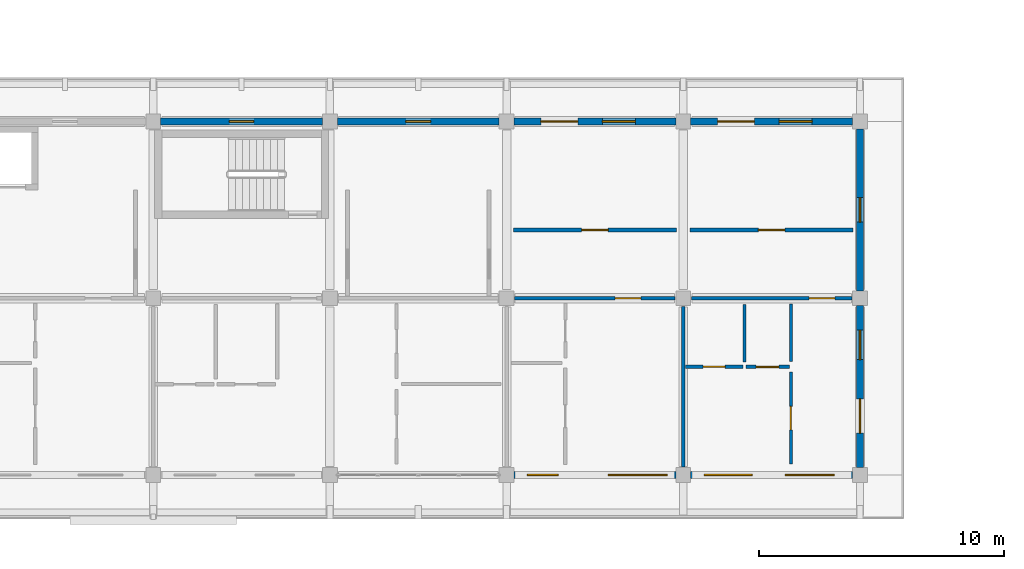
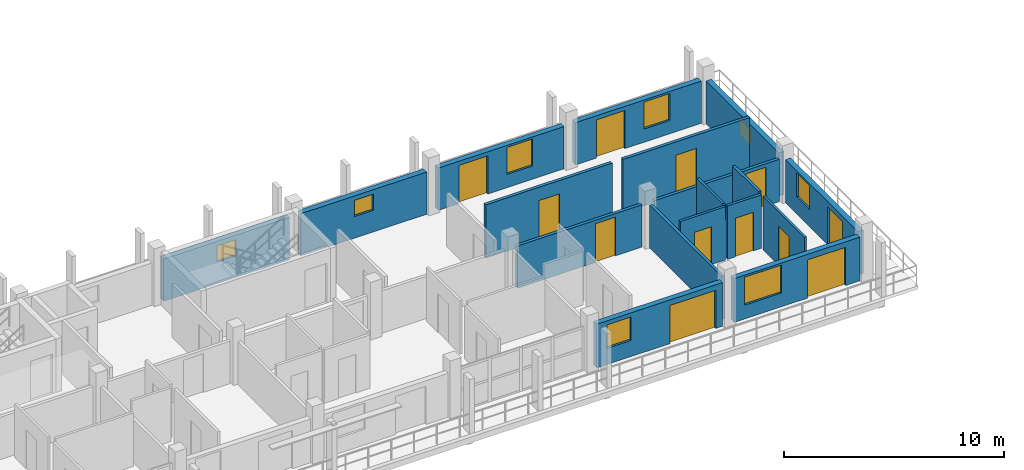
# One storey, part 116 of 157: 18 walls, 12 doors, 8 windows, 20 openings.
"""IFC4 building model written with IfcOpenShell, lengths in metres."""

from ifc_helpers import new_model, si_unit, direction, frame, frame_2d, origin, place, context, subcontext, project, spatial, rectangle, extrude, material, layer, layer_set, type_object, element, fill, save


model = new_model("IFC4")

# Units and contexts
model_context = context("Model", 3, precision=1e-05, world=origin(), true_north=direction((0.0, 1.0)))
body_context = subcontext(model_context, "Body", "Model", "MODEL_VIEW")
ifc_project = project(units=[si_unit("LENGTHUNIT", "METRE"), si_unit("AREAUNIT", "SQUARE_METRE"), si_unit("VOLUMEUNIT", "CUBIC_METRE"), si_unit("PLANEANGLEUNIT", "RADIAN"), si_unit("MASSUNIT", "GRAM", prefix="KILO")], contexts=[model_context])

# Site, building, storey
site_placement = place(None, origin())
site = spatial("IfcSite", under=ifc_project, at=site_placement, CompositionType="ELEMENT")
building_placement = place(site_placement, origin())
building = spatial("IfcBuilding", under=site, at=building_placement, Name="Suanplinth Sawtooth Commons", CompositionType="ELEMENT")
storey_placement = place(building_placement, frame((0.0, 0.0, 9.0)))
storey = spatial("IfcBuildingStorey", under=building, at=storey_placement, Name="L02", CompositionType="ELEMENT", Elevation=9.0)

# Wall, opening, window
ifc_material_1 = material(Name="Precast concrete C40/50", Category="concrete")
ifc_layer_1 = layer(ifc_material_1, 0.280029296875, Name="Insulated precast architectural facade wall 280mm")
ifc_layer_set_1 = layer_set([ifc_layer_1], Name="Precast concrete C40/50")
wall_type_1 = type_object("IfcWallType", Name="W-EX01", PredefinedType="ELEMENTEDWALL", material=ifc_layer_set_1)
wall_1_placement = place(storey_placement, frame((29.10009765625, 14.39990234375, 0.0), z_axis=(0.0, 0.0, 1.0), x_axis=(1.0, 0.0, 0.0)))
wall_1 = element("IfcWall", 1, at=wall_1_placement, inside=storey, type_object=wall_type_1, Name="Facade Wall W-L02-D-N-4-1", PredefinedType="ELEMENTEDWALL", context=body_context, shape_type="SweptSolid", body=[
    extrude(rectangle(XDim=6.599853515625, YDim=0.280029296875, at=frame_2d((3.2998046875, 0.0))), origin(), (0.0, 0.0, 1.0), 2.344970703125),
])
opening_1_placement = place(wall_1_placement, frame((2.800048828125, 0.0, 1.199951171875)))
opening_1 = element("IfcOpeningElement", 2, at=opening_1_placement, cuts=wall_1, Name="Opening W0324", PredefinedType="OPENING", context=body_context, shape_type="SweptSolid", body=[
    extrude(rectangle(XDim=1.0, YDim=0.89990234375, at=frame_2d((0.5, 0.449951171875))), frame((0.0, 0.15478515625, 0.0), z_axis=(0.0, -1.0, 0.0), x_axis=(1.0, 0.0, 0.0)), (0.0, 0.0, 1.0), 0.309814453125),
])
ifc_material_2 = material(Name="Thermally broken aluminium and low-E double glazing", Category="aluminium")
window_type_1 = type_object("IfcWindowType", Name="WN-12", PartitioningType="SINGLE_PANEL", PredefinedType="WINDOW", material=ifc_material_2)
window_1_placement = place(opening_1_placement, origin())
window_1 = element("IfcWindow", 3, at=window_1_placement, inside=storey, type_object=window_type_1, Name="Core Daylight Window L02-D-4-1", OverallHeight=0.89990234375, OverallWidth=1.0, PartitioningType="SINGLE_PANEL", PredefinedType="WINDOW", context=body_context, shape_type="SweptSolid", body=[
    extrude(rectangle(XDim=1.0, YDim=0.89990234375, at=frame_2d((0.5, 0.449951171875))), frame((0.0, 0.030029296875, 0.0), z_axis=(0.0, -1.0, 0.0), x_axis=(1.0, 0.0, 0.0)), (0.0, 0.0, 1.0), 0.06005859375),
])
fill(opening_1, window_1)

wall_2_placement = place(storey_placement, frame((36.300048828125, 14.39990234375, 0.0), z_axis=(0.0, 0.0, 1.0), x_axis=(1.0, 0.0, 0.0)))
wall_2 = element("IfcWall", 4, at=wall_2_placement, inside=storey, type_object=wall_type_1, Name="Facade Wall W-L02-D-N-5-1", PredefinedType="ELEMENTEDWALL", context=body_context, shape_type="SweptSolid", body=[
    extrude(rectangle(XDim=6.599853515625, YDim=0.280029296875, at=frame_2d((3.2998046875, 0.0))), origin(), (0.0, 0.0, 1.0), 2.344970703125),
])
opening_2_placement = place(wall_2_placement, frame((2.800048828125, 0.0, 1.199951171875)))
opening_2 = element("IfcOpeningElement", 5, at=opening_2_placement, cuts=wall_2, Name="Opening W0325", PredefinedType="OPENING", context=body_context, shape_type="SweptSolid", body=[
    extrude(rectangle(XDim=1.0, YDim=0.89990234375, at=frame_2d((0.5, 0.449951171875))), frame((0.0, 0.15478515625, 0.0), z_axis=(0.0, -1.0, 0.0), x_axis=(1.0, 0.0, 0.0)), (0.0, 0.0, 1.0), 0.309814453125),
])
window_2_placement = place(opening_2_placement, origin())
window_2 = element("IfcWindow", 6, at=window_2_placement, inside=storey, type_object=window_type_1, Name="Core Daylight Window L02-D-5-1", OverallHeight=0.89990234375, OverallWidth=1.0, PartitioningType="SINGLE_PANEL", PredefinedType="WINDOW", context=body_context, shape_type="SweptSolid", body=[
    extrude(rectangle(XDim=1.0, YDim=0.89990234375, at=frame_2d((0.5, 0.449951171875))), frame((0.0, 0.030029296875, 0.0), z_axis=(0.0, -1.0, 0.0), x_axis=(1.0, 0.0, 0.0)), (0.0, 0.0, 1.0), 0.06005859375),
])
fill(opening_2, window_2)

# Wall, openings, door, window
wall_3_placement = place(storey_placement, frame((43.5, 0.0, 0.0), z_axis=(0.0, 0.0, 1.0), x_axis=(1.0, 0.0, 0.0)))
wall_3 = element("IfcWall", 7, at=wall_3_placement, inside=storey, type_object=wall_type_1, Name="Facade Wall W-L02-D-S-6-0", PredefinedType="ELEMENTEDWALL", context=body_context, shape_type="SweptSolid", body=[
    extrude(rectangle(XDim=6.60009765625, YDim=0.280029296875, at=frame_2d((3.300048828125, 0.0))), origin(), (0.0, 0.0, 1.0), 2.425048828125),
])
opening_3_placement = place(wall_3_placement, frame((3.85009765625, 0.0, 0.0)))
opening_3 = element("IfcOpeningElement", 8, at=opening_3_placement, cuts=wall_3, Name="Opening ED0214", PredefinedType="OPENING", context=body_context, shape_type="SweptSolid", body=[
    extrude(rectangle(XDim=2.39990234375, YDim=2.1201171875, at=frame_2d((1.199951171875, 1.06005859375))), frame((0.0, 0.15478515625, 0.0), z_axis=(0.0, -1.0, 0.0), x_axis=(1.0, 0.0, 0.0)), (0.0, 0.0, 1.0), 0.309814453125),
])
opening_4_placement = place(wall_3_placement, frame((0.550048828125, 0.0, 0.89990234375)))
opening_4 = element("IfcOpeningElement", 9, at=opening_4_placement, cuts=wall_3, Name="Opening W0326", PredefinedType="OPENING", context=body_context, shape_type="SweptSolid", body=[
    extrude(rectangle(XDim=1.25, YDim=1.300048828125, at=frame_2d((0.625, 0.64990234375))), frame((0.0, 0.15478515625, 0.0), z_axis=(0.0, -1.0, 0.0), x_axis=(1.0, 0.0, 0.0)), (0.0, 0.0, 1.0), 0.309814453125),
])
ifc_material_3 = material(Name="Anodized aluminium and low-E glass", Category="aluminium")
door_type_1 = type_object("IfcDoorType", Name="SD-04", OperationType="DOUBLE_DOOR_SLIDING", PredefinedType="DOOR", material=ifc_material_3)
door_1_placement = place(opening_3_placement, frame((2.39990234375, 0.0, 0.0), z_axis=(0.0, 0.0, 1.0), x_axis=(-1.0, 0.0, 0.0)))
door_1 = element("IfcDoor", 10, at=door_1_placement, inside=storey, type_object=door_type_1, Name="Balcony Sliding Door L02-D-6", OperationType="DOUBLE_DOOR_SLIDING", OverallHeight=2.1201171875, OverallWidth=2.39990234375, PredefinedType="DOOR", context=body_context, shape_type="SweptSolid", body=[
    extrude(rectangle(XDim=2.39990234375, YDim=2.1201171875, at=frame_2d((1.199951171875, 1.06005859375))), frame((0.0, 0.02490234375, 0.0), z_axis=(0.0, -1.0, 0.0), x_axis=(1.0, 0.0, 0.0)), (0.0, 0.0, 1.0), 0.050048828125),
])
fill(opening_3, door_1)
window_type_2 = type_object("IfcWindowType", Name="WN-17", PartitioningType="SINGLE_PANEL", PredefinedType="WINDOW", material=ifc_material_2)
window_3_placement = place(opening_4_placement, origin())
window_3 = element("IfcWindow", 11, at=window_3_placement, inside=storey, type_object=window_type_2, Name="Apartment Window L02-D-6", OverallHeight=1.300048828125, OverallWidth=1.25, PartitioningType="SINGLE_PANEL", PredefinedType="WINDOW", context=body_context, shape_type="SweptSolid", body=[
    extrude(rectangle(XDim=1.25, YDim=1.300048828125, at=frame_2d((0.625, 0.64990234375))), frame((0.0, 0.030029296875, 0.0), z_axis=(0.0, -1.0, 0.0), x_axis=(1.0, 0.0, 0.0)), (0.0, 0.0, 1.0), 0.06005859375),
])
fill(opening_4, window_3)

wall_4_placement = place(storey_placement, frame((43.5, 14.39990234375, 0.0), z_axis=(0.0, 0.0, 1.0), x_axis=(1.0, 0.0, 0.0)))
wall_4 = element("IfcWall", 12, at=wall_4_placement, inside=storey, type_object=wall_type_1, Name="Facade Wall W-L02-D-N-6-1", PredefinedType="ELEMENTEDWALL", context=body_context, shape_type="SweptSolid", body=[
    extrude(rectangle(XDim=6.60009765625, YDim=0.280029296875, at=frame_2d((3.300048828125, 0.0))), origin(), (0.0, 0.0, 1.0), 2.344970703125),
])
opening_5_placement = place(wall_4_placement, frame((1.10009765625, 0.0, 0.0)))
opening_5 = element("IfcOpeningElement", 13, at=opening_5_placement, cuts=wall_4, Name="Opening ED0215", PredefinedType="OPENING", context=body_context, shape_type="SweptSolid", body=[
    extrude(rectangle(XDim=1.5, YDim=2.1201171875, at=frame_2d((0.75, 1.06005859375))), frame((0.0, 0.15478515625, 0.0), z_axis=(0.0, -1.0, 0.0), x_axis=(1.0, 0.0, 0.0)), (0.0, 0.0, 1.0), 0.309814453125),
])
opening_6_placement = place(wall_4_placement, frame((3.60009765625, 0.0, 0.735107421875)))
opening_6 = element("IfcOpeningElement", 14, at=opening_6_placement, cuts=wall_4, Name="Opening W0327", PredefinedType="OPENING", context=body_context, shape_type="SweptSolid", body=[
    extrude(rectangle(XDim=1.35009765625, YDim=1.5, at=frame_2d((0.675048828125, 0.75))), frame((0.0, 0.15478515625, 0.0), z_axis=(0.0, -1.0, 0.0), x_axis=(1.0, 0.0, 0.0)), (0.0, 0.0, 1.0), 0.309814453125),
])
door_type_2 = type_object("IfcDoorType", Name="SD-03", OperationType="SLIDING_TO_LEFT", PredefinedType="DOOR", material=ifc_material_3)
door_2_placement = place(opening_5_placement, frame((1.5, 0.0, 0.0), z_axis=(0.0, 0.0, 1.0), x_axis=(-1.0, 0.0, 0.0)))
door_2 = element("IfcDoor", 15, at=door_2_placement, inside=storey, type_object=door_type_2, Name="Courtyard Balcony Door L02-D-6", OperationType="SLIDING_TO_LEFT", OverallHeight=2.1201171875, OverallWidth=1.5, PredefinedType="DOOR", context=body_context, shape_type="SweptSolid", body=[
    extrude(rectangle(XDim=1.5, YDim=2.1201171875, at=frame_2d((0.75, 1.06005859375))), frame((0.0, 0.02490234375, 0.0), z_axis=(0.0, -1.0, 0.0), x_axis=(1.0, 0.0, 0.0)), (0.0, 0.0, 1.0), 0.050048828125),
])
fill(opening_5, door_2)
window_type_3 = type_object("IfcWindowType", Name="WN-14", PartitioningType="SINGLE_PANEL", PredefinedType="WINDOW", material=ifc_material_2)
window_4_placement = place(opening_6_placement, origin())
window_4 = element("IfcWindow", 16, at=window_4_placement, inside=storey, type_object=window_type_3, Name="Courtyard Window L02-D-6", OverallHeight=1.5, OverallWidth=1.35009765625, PartitioningType="SINGLE_PANEL", PredefinedType="WINDOW", context=body_context, shape_type="SweptSolid", body=[
    extrude(rectangle(XDim=1.35009765625, YDim=1.5, at=frame_2d((0.675048828125, 0.75))), frame((0.0, 0.030029296875, 0.0), z_axis=(0.0, -1.0, 0.0), x_axis=(1.0, 0.0, 0.0)), (0.0, 0.0, 1.0), 0.06005859375),
])
fill(opening_6, window_4)

wall_5_placement = place(storey_placement, frame((50.699951171875, 0.0, 0.0), z_axis=(0.0, 0.0, 1.0), x_axis=(1.0, 0.0, 0.0)))
wall_5 = element("IfcWall", 17, at=wall_5_placement, inside=storey, type_object=wall_type_1, Name="Facade Wall W-L02-D-S-7-0", PredefinedType="ELEMENTEDWALL", context=body_context, shape_type="SweptSolid", body=[
    extrude(rectangle(XDim=6.60009765625, YDim=0.280029296875, at=frame_2d((3.300048828125, 0.0))), origin(), (0.0, 0.0, 1.0), 2.425048828125),
])
opening_7_placement = place(wall_5_placement, frame((3.85009765625, 0.0, 0.0)))
opening_7 = element("IfcOpeningElement", 18, at=opening_7_placement, cuts=wall_5, Name="Opening ED0216", PredefinedType="OPENING", context=body_context, shape_type="SweptSolid", body=[
    extrude(rectangle(XDim=2.0, YDim=2.1201171875, at=frame_2d((1.0, 1.06005859375))), frame((0.0, 0.15478515625, 0.0), z_axis=(0.0, -1.0, 0.0), x_axis=(1.0, 0.0, 0.0)), (0.0, 0.0, 1.0), 0.309814453125),
])
opening_8_placement = place(wall_5_placement, frame((0.550048828125, 0.0, 0.764892578125)))
opening_8 = element("IfcOpeningElement", 19, at=opening_8_placement, cuts=wall_5, Name="Opening W0328", PredefinedType="OPENING", context=body_context, shape_type="SweptSolid", body=[
    extrude(rectangle(XDim=1.949951171875, YDim=1.550048828125, at=frame_2d((0.97509765625, 0.77490234375))), frame((0.0, 0.15478515625, 0.0), z_axis=(0.0, -1.0, 0.0), x_axis=(1.0, 0.0, 0.0)), (0.0, 0.0, 1.0), 0.309814453125),
])
door_type_3 = type_object("IfcDoorType", Name="SD-06", OperationType="DOUBLE_DOOR_SLIDING", PredefinedType="DOOR", material=ifc_material_3)
door_3_placement = place(opening_7_placement, frame((2.0, 0.0, 0.0), z_axis=(0.0, 0.0, 1.0), x_axis=(-1.0, 0.0, 0.0)))
door_3 = element("IfcDoor", 20, at=door_3_placement, inside=storey, type_object=door_type_3, Name="Balcony Sliding Door L02-D-7", OperationType="DOUBLE_DOOR_SLIDING", OverallHeight=2.1201171875, OverallWidth=2.0, PredefinedType="DOOR", context=body_context, shape_type="SweptSolid", body=[
    extrude(rectangle(XDim=2.0, YDim=2.1201171875, at=frame_2d((1.0, 1.06005859375))), frame((0.0, 0.02490234375, 0.0), z_axis=(0.0, -1.0, 0.0), x_axis=(1.0, 0.0, 0.0)), (0.0, 0.0, 1.0), 0.050048828125),
])
fill(opening_7, door_3)
window_type_4 = type_object("IfcWindowType", Name="WN-18", PartitioningType="DOUBLE_PANEL_VERTICAL", PredefinedType="WINDOW", material=ifc_material_2)
window_5_placement = place(opening_8_placement, origin())
window_5 = element("IfcWindow", 21, at=window_5_placement, inside=storey, type_object=window_type_4, Name="Apartment Window L02-D-7", OverallHeight=1.550048828125, OverallWidth=1.949951171875, PartitioningType="DOUBLE_PANEL_VERTICAL", PredefinedType="WINDOW", context=body_context, shape_type="SweptSolid", body=[
    extrude(rectangle(XDim=1.949951171875, YDim=1.550048828125, at=frame_2d((0.97509765625, 0.77490234375))), frame((0.0, 0.030029296875, 0.0), z_axis=(0.0, -1.0, 0.0), x_axis=(1.0, 0.0, 0.0)), (0.0, 0.0, 1.0), 0.06005859375),
])
fill(opening_8, window_5)

wall_6_placement = place(storey_placement, frame((57.60009765625, 0.300048828125, 0.0), z_axis=(0.0, 0.0, 1.0), x_axis=(0.0, 1.0, 0.0)))
wall_6 = element("IfcWall", 22, at=wall_6_placement, inside=storey, type_object=wall_type_1, Name="Facade Wall W-L02-D-E-7-0", PredefinedType="ELEMENTEDWALL", context=body_context, shape_type="SweptSolid", body=[
    extrude(rectangle(XDim=6.599853515625, YDim=0.280029296875, at=frame_2d((3.2998046875, 0.0))), origin(), (0.0, 0.0, 1.0), 2.39501953125),
])
opening_9_placement = place(wall_6_placement, frame((1.39990234375, 0.0, 0.0)))
opening_9 = element("IfcOpeningElement", 23, at=opening_9_placement, cuts=wall_6, Name="Opening ED0217", PredefinedType="OPENING", context=body_context, shape_type="SweptSolid", body=[
    extrude(rectangle(XDim=1.39990234375, YDim=2.10009765625, at=frame_2d((0.699951171875, 1.050048828125))), frame((0.0, 0.15478515625, 0.0), z_axis=(0.0, -1.0, 0.0), x_axis=(1.0, 0.0, 0.0)), (0.0, 0.0, 1.0), 0.309814453125),
])
opening_10_placement = place(wall_6_placement, frame((4.39990234375, 0.0, 0.93505859375)))
opening_10 = element("IfcOpeningElement", 24, at=opening_10_placement, cuts=wall_6, Name="Opening W0329", PredefinedType="OPENING", context=body_context, shape_type="SweptSolid", body=[
    extrude(rectangle(XDim=1.199951171875, YDim=1.35009765625, at=frame_2d((0.60009765625, 0.675048828125))), frame((0.0, 0.15478515625, 0.0), z_axis=(0.0, -1.0, 0.0), x_axis=(1.0, 0.0, 0.0)), (0.0, 0.0, 1.0), 0.309814453125),
])
door_type_4 = type_object("IfcDoorType", Name="SD-07", OperationType="SLIDING_TO_RIGHT", PredefinedType="DOOR", material=ifc_material_3)
door_4_placement = place(opening_9_placement, frame((1.39990234375, 0.0, 0.0), z_axis=(0.0, 0.0, 1.0), x_axis=(-1.0, 0.0, 0.0)))
door_4 = element("IfcDoor", 25, at=door_4_placement, inside=storey, type_object=door_type_4, Name="End Balcony Sliding Door L02-D-E-7-0", OperationType="SLIDING_TO_RIGHT", OverallHeight=2.10009765625, OverallWidth=1.39990234375, PredefinedType="DOOR", context=body_context, shape_type="SweptSolid", body=[
    extrude(rectangle(XDim=1.39990234375, YDim=2.10009765625, at=frame_2d((0.699951171875, 1.050048828125))), frame((0.0, 0.02490234375, 0.0), z_axis=(0.0, -1.0, 0.0), x_axis=(1.0, 0.0, 0.0)), (0.0, 0.0, 1.0), 0.050048828125),
])
fill(opening_9, door_4)
window_type_5 = type_object("IfcWindowType", Name="WN-03", PartitioningType="SINGLE_PANEL", PredefinedType="WINDOW", material=ifc_material_2)
window_6_placement = place(opening_10_placement, origin())
window_6 = element("IfcWindow", 26, at=window_6_placement, inside=storey, type_object=window_type_5, Name="End Bedroom Window L02-D-7-0", OverallHeight=1.35009765625, OverallWidth=1.199951171875, PartitioningType="SINGLE_PANEL", PredefinedType="WINDOW", context=body_context, shape_type="SweptSolid", body=[
    extrude(rectangle(XDim=1.199951171875, YDim=1.35009765625, at=frame_2d((0.60009765625, 0.675048828125))), frame((0.0, 0.030029296875, 0.0), z_axis=(0.0, -1.0, 0.0), x_axis=(1.0, 0.0, 0.0)), (0.0, 0.0, 1.0), 0.06005859375),
])
fill(opening_10, window_6)

wall_7_placement = place(storey_placement, frame((50.699951171875, 14.39990234375, 0.0), z_axis=(0.0, 0.0, 1.0), x_axis=(1.0, 0.0, 0.0)))
wall_7 = element("IfcWall", 27, at=wall_7_placement, inside=storey, type_object=wall_type_1, Name="Facade Wall W-L02-D-N-7-1", PredefinedType="ELEMENTEDWALL", context=body_context, shape_type="SweptSolid", body=[
    extrude(rectangle(XDim=6.60009765625, YDim=0.280029296875, at=frame_2d((3.300048828125, 0.0))), origin(), (0.0, 0.0, 1.0), 2.344970703125),
])
opening_11_placement = place(wall_7_placement, frame((1.10009765625, 0.0, 0.0)))
opening_11 = element("IfcOpeningElement", 28, at=opening_11_placement, cuts=wall_7, Name="Opening ED0218", PredefinedType="OPENING", context=body_context, shape_type="SweptSolid", body=[
    extrude(rectangle(XDim=1.5, YDim=2.1201171875, at=frame_2d((0.75, 1.06005859375))), frame((0.0, 0.15478515625, 0.0), z_axis=(0.0, -1.0, 0.0), x_axis=(1.0, 0.0, 0.0)), (0.0, 0.0, 1.0), 0.309814453125),
])
opening_12_placement = place(wall_7_placement, frame((3.60009765625, 0.0, 0.735107421875)))
opening_12 = element("IfcOpeningElement", 29, at=opening_12_placement, cuts=wall_7, Name="Opening W0330", PredefinedType="OPENING", context=body_context, shape_type="SweptSolid", body=[
    extrude(rectangle(XDim=1.35009765625, YDim=1.5, at=frame_2d((0.675048828125, 0.75))), frame((0.0, 0.15478515625, 0.0), z_axis=(0.0, -1.0, 0.0), x_axis=(1.0, 0.0, 0.0)), (0.0, 0.0, 1.0), 0.309814453125),
])
door_5_placement = place(opening_11_placement, frame((1.5, 0.0, 0.0), z_axis=(0.0, 0.0, 1.0), x_axis=(-1.0, 0.0, 0.0)))
door_5 = element("IfcDoor", 30, at=door_5_placement, inside=storey, type_object=door_type_2, Name="Courtyard Balcony Door L02-D-7", OperationType="SLIDING_TO_LEFT", OverallHeight=2.1201171875, OverallWidth=1.5, PredefinedType="DOOR", context=body_context, shape_type="SweptSolid", body=[
    extrude(rectangle(XDim=1.5, YDim=2.1201171875, at=frame_2d((0.75, 1.06005859375))), frame((0.0, 0.02490234375, 0.0), z_axis=(0.0, -1.0, 0.0), x_axis=(1.0, 0.0, 0.0)), (0.0, 0.0, 1.0), 0.050048828125),
])
fill(opening_11, door_5)
window_7_placement = place(opening_12_placement, origin())
window_7 = element("IfcWindow", 31, at=window_7_placement, inside=storey, type_object=window_type_3, Name="Courtyard Window L02-D-7", OverallHeight=1.5, OverallWidth=1.35009765625, PartitioningType="SINGLE_PANEL", PredefinedType="WINDOW", context=body_context, shape_type="SweptSolid", body=[
    extrude(rectangle(XDim=1.35009765625, YDim=1.5, at=frame_2d((0.675048828125, 0.75))), frame((0.0, 0.030029296875, 0.0), z_axis=(0.0, -1.0, 0.0), x_axis=(1.0, 0.0, 0.0)), (0.0, 0.0, 1.0), 0.06005859375),
])
fill(opening_12, window_7)

# Wall, opening, window
wall_8_placement = place(storey_placement, frame((57.60009765625, 7.5, 0.0), z_axis=(0.0, 0.0, 1.0), x_axis=(0.0, 1.0, 0.0)))
wall_8 = element("IfcWall", 32, at=wall_8_placement, inside=storey, type_object=wall_type_1, Name="Facade Wall W-L02-D-E-7-1", PredefinedType="ELEMENTEDWALL", context=body_context, shape_type="SweptSolid", body=[
    extrude(rectangle(XDim=6.60009765625, YDim=0.280029296875, at=frame_2d((3.300048828125, 0.0))), origin(), (0.0, 0.0, 1.0), 2.39501953125),
])
opening_13_placement = place(wall_8_placement, frame((2.800048828125, 0.0, 1.10009765625)))
opening_13 = element("IfcOpeningElement", 33, at=opening_13_placement, cuts=wall_8, Name="Opening W0331", PredefinedType="OPENING", context=body_context, shape_type="SweptSolid", body=[
    extrude(rectangle(XDim=1.0, YDim=0.89990234375, at=frame_2d((0.5, 0.449951171875))), frame((0.0, 0.15478515625, 0.0), z_axis=(0.0, -1.0, 0.0), x_axis=(1.0, 0.0, 0.0)), (0.0, 0.0, 1.0), 0.309814453125),
])
window_8_placement = place(opening_13_placement, origin())
window_8 = element("IfcWindow", 34, at=window_8_placement, inside=storey, type_object=window_type_1, Name="End Window L02-D-E-7-1", OverallHeight=0.89990234375, OverallWidth=1.0, PartitioningType="SINGLE_PANEL", PredefinedType="WINDOW", context=body_context, shape_type="SweptSolid", body=[
    extrude(rectangle(XDim=1.0, YDim=0.89990234375, at=frame_2d((0.5, 0.449951171875))), frame((0.0, 0.030029296875, 0.0), z_axis=(0.0, -1.0, 0.0), x_axis=(1.0, 0.0, 0.0)), (0.0, 0.0, 1.0), 0.06005859375),
])
fill(opening_13, window_8)

# Wall, opening, door
ifc_layer_2 = layer(ifc_material_1, 0.159912109375, Name="Fire-rated corridor and lobby wall 160mm")
ifc_layer_set_2 = layer_set([ifc_layer_2], Name="Precast concrete C40/50")
wall_type_2 = type_object("IfcWallType", Name="W-FW01", PredefinedType="PARTITIONING", material=ifc_layer_set_2)
wall_9_placement = place(storey_placement, frame((43.530029296875, 7.199951171875, 0.0), z_axis=(0.0, 0.0, 1.0), x_axis=(1.0, 0.0, 0.0)))
wall_9 = element("IfcWall", 35, at=wall_9_placement, inside=storey, type_object=wall_type_2, Name="W-D-L02-U05-COR", PredefinedType="PARTITIONING", context=body_context, shape_type="SweptSolid", body=[
    extrude(rectangle(XDim=6.5400390625, YDim=0.159912109375, at=frame_2d((3.27001953125, 0.0))), origin(), (0.0, 0.0, 1.0), 2.344970703125),
])
opening_14_placement = place(wall_9_placement, frame((4.094970703125, 0.0, 0.0)))
opening_14 = element("IfcOpeningElement", 36, at=opening_14_placement, cuts=wall_9, Name="Opening FD0845", PredefinedType="OPENING", context=body_context, shape_type="SweptSolid", body=[
    extrude(rectangle(XDim=1.050048828125, YDim=2.14990234375, at=frame_2d((0.52490234375, 1.074951171875))), frame((0.0, 0.0947265625, 0.0), z_axis=(0.0, -1.0, 0.0), x_axis=(1.0, 0.0, 0.0)), (0.0, 0.0, 1.0), 0.189697265625),
])
ifc_material_4 = material(Name="Teak hardwood fire-rated door assembly", Category="wood")
door_type_5 = type_object("IfcDoorType", Name="FD-04", OperationType="NOTDEFINED", PredefinedType="DOOR", material=ifc_material_4)
door_6_placement = place(opening_14_placement, frame((1.050048828125, 0.0, 0.0), z_axis=(0.0, 0.0, 1.0), x_axis=(-1.0, 0.0, 0.0)))
door_6 = element("IfcDoor", 37, at=door_6_placement, inside=storey, type_object=door_type_5, Name="Unit Entrance Door FD0845", OperationType="SINGLE_SWING_LEFT", OverallHeight=2.14990234375, OverallWidth=1.050048828125, PredefinedType="DOOR", context=body_context, shape_type="SweptSolid", body=[
    extrude(rectangle(XDim=1.050048828125, YDim=2.14990234375, at=frame_2d((0.52490234375, 1.074951171875))), frame((0.0, 0.02490234375, 0.0), z_axis=(0.0, -1.0, 0.0), x_axis=(1.0, 0.0, 0.0)), (0.0, 0.0, 1.0), 0.050048828125),
])
fill(opening_14, door_6)

wall_10_placement = place(storey_placement, frame((50.72998046875, 7.199951171875, 0.0), z_axis=(0.0, 0.0, 1.0), x_axis=(1.0, 0.0, 0.0)))
wall_10 = element("IfcWall", 38, at=wall_10_placement, inside=storey, type_object=wall_type_2, Name="W-D-L02-U06-COR", PredefinedType="PARTITIONING", context=body_context, shape_type="SweptSolid", body=[
    extrude(rectangle(XDim=6.5400390625, YDim=0.159912109375, at=frame_2d((3.27001953125, 0.0))), origin(), (0.0, 0.0, 1.0), 2.344970703125),
])
opening_15_placement = place(wall_10_placement, frame((4.794921875, 0.0, 0.0)))
opening_15 = element("IfcOpeningElement", 39, at=opening_15_placement, cuts=wall_10, Name="Opening FD0848", PredefinedType="OPENING", context=body_context, shape_type="SweptSolid", body=[
    extrude(rectangle(XDim=1.050048828125, YDim=2.14990234375, at=frame_2d((0.52490234375, 1.074951171875))), frame((0.0, 0.0947265625, 0.0), z_axis=(0.0, -1.0, 0.0), x_axis=(1.0, 0.0, 0.0)), (0.0, 0.0, 1.0), 0.189697265625),
])
door_7_placement = place(opening_15_placement, frame((1.050048828125, 0.0, 0.0), z_axis=(0.0, 0.0, 1.0), x_axis=(-1.0, 0.0, 0.0)))
door_7 = element("IfcDoor", 40, at=door_7_placement, inside=storey, type_object=door_type_5, Name="Unit Entrance Door FD0848", OperationType="SINGLE_SWING_RIGHT", OverallHeight=2.14990234375, OverallWidth=1.050048828125, PredefinedType="DOOR", context=body_context, shape_type="SweptSolid", body=[
    extrude(rectangle(XDim=1.050048828125, YDim=2.14990234375, at=frame_2d((0.52490234375, 1.074951171875))), frame((0.0, 0.02490234375, 0.0), z_axis=(0.0, -1.0, 0.0), x_axis=(1.0, 0.0, 0.0)), (0.0, 0.0, 1.0), 0.050048828125),
])
fill(opening_15, door_7)

wall_11_placement = place(storey_placement, frame((43.47998046875, 9.97998046875, 0.0), z_axis=(0.0, 0.0, 1.0), x_axis=(1.0, 0.0, 0.0)))
wall_11 = element("IfcWall", 41, at=wall_11_placement, inside=storey, type_object=wall_type_2, Name="W-D-L02-COURTROOM-66-COR", PredefinedType="PARTITIONING", context=body_context, shape_type="SweptSolid", body=[
    extrude(rectangle(XDim=6.64013671875, YDim=0.159912109375, at=frame_2d((3.320068359375, 0.0))), origin(), (0.0, 0.0, 1.0), 2.9599609375),
])
opening_16_placement = place(wall_11_placement, frame((2.780029296875, 0.0, 0.0)))
opening_16 = element("IfcOpeningElement", 42, at=opening_16_placement, cuts=wall_11, Name="Opening D0852", PredefinedType="OPENING", context=body_context, shape_type="SweptSolid", body=[
    extrude(rectangle(XDim=1.080078125, YDim=2.219970703125, at=frame_2d((0.5400390625, 1.10986328125))), frame((0.0, 0.0947265625, 0.0), z_axis=(0.0, -1.0, 0.0), x_axis=(1.0, 0.0, 0.0)), (0.0, 0.0, 1.0), 0.189697265625),
])
ifc_material_5 = material(Name="Teak hardwood", Category="wood")
door_type_6 = type_object("IfcDoorType", Name="D-17", OperationType="NOTDEFINED", PredefinedType="DOOR", material=ifc_material_5)
door_8_placement = place(opening_16_placement, origin())
door_8 = element("IfcDoor", 43, at=door_8_placement, inside=storey, type_object=door_type_6, Name="Study Studio Door D0852", OperationType="SINGLE_SWING_RIGHT", OverallHeight=2.219970703125, OverallWidth=1.080078125, PredefinedType="DOOR", context=body_context, shape_type="SweptSolid", body=[
    extrude(rectangle(XDim=1.080078125, YDim=2.219970703125, at=frame_2d((0.5400390625, 1.10986328125))), frame((0.0, 0.02490234375, 0.0), z_axis=(0.0, -1.0, 0.0), x_axis=(1.0, 0.0, 0.0)), (0.0, 0.0, 1.0), 0.050048828125),
])
fill(opening_16, door_8)

wall_12_placement = place(storey_placement, frame((50.679931640625, 9.97998046875, 0.0), z_axis=(0.0, 0.0, 1.0), x_axis=(1.0, 0.0, 0.0)))
wall_12 = element("IfcWall", 44, at=wall_12_placement, inside=storey, type_object=wall_type_2, Name="W-D-L02-COURTROOM-67-COR", PredefinedType="PARTITIONING", context=body_context, shape_type="SweptSolid", body=[
    extrude(rectangle(XDim=6.64013671875, YDim=0.159912109375, at=frame_2d((3.320068359375, 0.0))), origin(), (0.0, 0.0, 1.0), 2.9599609375),
])
opening_17_placement = place(wall_12_placement, frame((2.780029296875, 0.0, 0.0)))
opening_17 = element("IfcOpeningElement", 45, at=opening_17_placement, cuts=wall_12, Name="Opening D0853", PredefinedType="OPENING", context=body_context, shape_type="SweptSolid", body=[
    extrude(rectangle(XDim=1.080078125, YDim=2.219970703125, at=frame_2d((0.5400390625, 1.10986328125))), frame((0.0, 0.0947265625, 0.0), z_axis=(0.0, -1.0, 0.0), x_axis=(1.0, 0.0, 0.0)), (0.0, 0.0, 1.0), 0.189697265625),
])
door_9_placement = place(opening_17_placement, origin())
door_9 = element("IfcDoor", 46, at=door_9_placement, inside=storey, type_object=door_type_6, Name="Study Studio Door D0853", OperationType="SINGLE_SWING_LEFT", OverallHeight=2.219970703125, OverallWidth=1.080078125, PredefinedType="DOOR", context=body_context, shape_type="SweptSolid", body=[
    extrude(rectangle(XDim=1.080078125, YDim=2.219970703125, at=frame_2d((0.5400390625, 1.10986328125))), frame((0.0, 0.02490234375, 0.0), z_axis=(0.0, -1.0, 0.0), x_axis=(1.0, 0.0, 0.0)), (0.0, 0.0, 1.0), 0.050048828125),
])
fill(opening_17, door_9)

# Wall
ifc_layer_3 = layer(ifc_material_1, 0.14990234375, Name="Acoustic precast party demising wall 150mm")
ifc_layer_set_3 = layer_set([ifc_layer_3], Name="Precast concrete C40/50")
wall_type_3 = type_object("IfcWallType", Name="W-FW02", PredefinedType="PARTITIONING", material=ifc_layer_set_3)
wall_13_placement = place(storey_placement, frame((50.39990234375, 0.330078125, 0.0), z_axis=(0.0, 0.0, 1.0), x_axis=(0.0, 1.0, 0.0)))
element("IfcWall", 47, at=wall_13_placement, inside=storey, type_object=wall_type_3, Name="W-D-L02-U05-PTY", PredefinedType="PARTITIONING", context=body_context, shape_type="SweptSolid", body=[
    extrude(rectangle(XDim=6.5400390625, YDim=0.14990234375, at=frame_2d((3.27001953125, 0.0))), origin(), (0.0, 0.0, 1.0), 2.39501953125),
])

# Wall, opening, door
ifc_material_6 = material(Name="Gypsum plasterboard on steel stud", Category="steel")
ifc_layer_4 = layer(ifc_material_6, 0.139892578125, Name="Fire-rated kitchen partition 140mm")
ifc_layer_set_4 = layer_set([ifc_layer_4], Name="Gypsum plasterboard on steel stud")
wall_type_4 = type_object("IfcWallType", Name="W-PT01", PredefinedType="PARTITIONING", material=ifc_layer_set_4)
wall_14_placement = place(storey_placement, frame((52.949951171875, 4.39990234375, 0.0), z_axis=(0.0, 0.0, 1.0), x_axis=(1.0, 0.0, 0.0)))
wall_14 = element("IfcWall", 48, at=wall_14_placement, inside=storey, type_object=wall_type_4, Name="W-D-L02-U06-KIT1", PredefinedType="PARTITIONING", context=body_context, shape_type="SweptSolid", body=[
    extrude(rectangle(XDim=1.77001953125, YDim=0.139892578125, at=frame_2d((0.885009765625, 0.0))), origin(), (0.0, 0.0, 1.0), 2.9599609375),
])
opening_18_placement = place(wall_14_placement, frame((0.419921875, 0.0, 0.0)))
opening_18 = element("IfcOpeningElement", 49, at=opening_18_placement, cuts=wall_14, Name="Opening D0850", PredefinedType="OPENING", context=body_context, shape_type="SweptSolid", body=[
    extrude(rectangle(XDim=0.929931640625, YDim=2.139892578125, at=frame_2d((0.46484375, 1.06982421875))), frame((0.0, 0.0849609375, 0.0), z_axis=(0.0, -1.0, 0.0), x_axis=(1.0, 0.0, 0.0)), (0.0, 0.0, 1.0), 0.169677734375),
])
door_type_7 = type_object("IfcDoorType", Name="D-19", OperationType="NOTDEFINED", PredefinedType="DOOR", material=ifc_material_5)
door_10_placement = place(opening_18_placement, origin())
door_10 = element("IfcDoor", 50, at=door_10_placement, inside=storey, type_object=door_type_7, Name="Kitchen Door D0850", OperationType="SINGLE_SWING_RIGHT", OverallHeight=2.139892578125, OverallWidth=0.929931640625, PredefinedType="DOOR", context=body_context, shape_type="SweptSolid", body=[
    extrude(rectangle(XDim=0.929931640625, YDim=2.139892578125, at=frame_2d((0.46484375, 1.06982421875))), frame((0.0, 0.02490234375, 0.0), z_axis=(0.0, -1.0, 0.0), x_axis=(1.0, 0.0, 0.0)), (0.0, 0.0, 1.0), 0.050048828125),
])
fill(opening_18, door_10)

# Wall
wall_15_placement = place(storey_placement, frame((54.7900390625, 4.6201171875, 0.0), z_axis=(0.0, 0.0, 1.0), x_axis=(0.0, 1.0, 0.0)))
element("IfcWall", 51, at=wall_15_placement, inside=storey, type_object=wall_type_4, Name="W-D-L02-U06-KIT2", PredefinedType="PARTITIONING", context=body_context, shape_type="SweptSolid", body=[
    extrude(rectangle(XDim=2.349853515625, YDim=0.139892578125, at=frame_2d((1.1748046875, 0.0))), origin(), (0.0, 0.0, 1.0), 2.9599609375),
])

# Wall, opening, door
ifc_layer_5 = layer(ifc_material_6, 0.1298828125, Name="Moisture-resistant bathroom partition 130mm")
ifc_layer_set_5 = layer_set([ifc_layer_5], Name="Gypsum plasterboard on steel stud")
wall_type_5 = type_object("IfcWallType", Name="W-PT02", PredefinedType="PARTITIONING", material=ifc_layer_set_5)
wall_16_placement = place(storey_placement, frame((50.47998046875, 4.405029296875, 0.0), z_axis=(0.0, 0.0, 1.0), x_axis=(1.0, 0.0, 0.0)))
wall_16 = element("IfcWall", 52, at=wall_16_placement, inside=storey, type_object=wall_type_5, Name="W-D-L02-U06-BTH1", PredefinedType="PARTITIONING", context=body_context, shape_type="SweptSolid", body=[
    extrude(rectangle(XDim=2.35009765625, YDim=0.1298828125, at=frame_2d((1.175048828125, 0.0))), origin(), (0.0, 0.0, 1.0), 2.9599609375),
])
opening_19_placement = place(wall_16_placement, frame((0.72509765625, 0.0, 0.0)))
opening_19 = element("IfcOpeningElement", 53, at=opening_19_placement, cuts=wall_16, Name="Opening D0849", PredefinedType="OPENING", context=body_context, shape_type="SweptSolid", body=[
    extrude(rectangle(XDim=0.89990234375, YDim=2.10009765625, at=frame_2d((0.449951171875, 1.050048828125))), frame((0.0, 0.079833984375, 0.0), z_axis=(0.0, -1.0, 0.0), x_axis=(1.0, 0.0, 0.0)), (0.0, 0.0, 1.0), 0.15966796875),
])
door_type_8 = type_object("IfcDoorType", Name="D-01", OperationType="NOTDEFINED", PredefinedType="DOOR", material=ifc_material_5)
door_11_placement = place(opening_19_placement, origin())
door_11 = element("IfcDoor", 54, at=door_11_placement, inside=storey, type_object=door_type_8, Name="Bathroom Door D0849", OperationType="SINGLE_SWING_LEFT", OverallHeight=2.10009765625, OverallWidth=0.89990234375, PredefinedType="DOOR", context=body_context, shape_type="SweptSolid", body=[
    extrude(rectangle(XDim=0.89990234375, YDim=2.10009765625, at=frame_2d((0.449951171875, 1.050048828125))), frame((0.0, 0.02490234375, 0.0), z_axis=(0.0, -1.0, 0.0), x_axis=(1.0, 0.0, 0.0)), (0.0, 0.0, 1.0), 0.050048828125),
])
fill(opening_19, door_11)

# Wall
wall_17_placement = place(storey_placement, frame((52.89501953125, 4.610107421875, 0.0), z_axis=(0.0, 0.0, 1.0), x_axis=(0.0, 1.0, 0.0)))
element("IfcWall", 55, at=wall_17_placement, inside=storey, type_object=wall_type_5, Name="W-D-L02-U06-BTH2", PredefinedType="PARTITIONING", context=body_context, shape_type="SweptSolid", body=[
    extrude(rectangle(XDim=2.329833984375, YDim=0.1298828125, at=frame_2d((1.1650390625, 0.0))), origin(), (0.0, 0.0, 1.0), 2.9599609375),
])

# Wall, opening, door
ifc_layer_6 = layer(ifc_material_6, 0.1201171875, Name="Acoustic bedroom partition 120mm")
ifc_layer_set_6 = layer_set([ifc_layer_6], Name="Gypsum plasterboard on steel stud")
wall_type_6 = type_object("IfcWallType", Name="W-PT03", PredefinedType="PARTITIONING", material=ifc_layer_set_6)
wall_18_placement = place(storey_placement, frame((54.780029296875, 0.43994140625, 0.0), z_axis=(0.0, 0.0, 1.0), x_axis=(0.0, 1.0, 0.0)))
wall_18 = element("IfcWall", 56, at=wall_18_placement, inside=storey, type_object=wall_type_6, Name="W-D-L02-U06-BED1", PredefinedType="PARTITIONING", context=body_context, shape_type="SweptSolid", body=[
    extrude(rectangle(XDim=3.75, YDim=0.1201171875, at=frame_2d((1.875, 0.0))), origin(), (0.0, 0.0, 1.0), 2.9599609375),
])
opening_20_placement = place(wall_18_placement, frame((1.39990234375, 0.0, 0.0)))
opening_20 = element("IfcOpeningElement", 57, at=opening_20_placement, cuts=wall_18, Name="Opening D0851", PredefinedType="OPENING", context=body_context, shape_type="SweptSolid", body=[
    extrude(rectangle(XDim=0.949951171875, YDim=2.14990234375, at=frame_2d((0.47509765625, 1.074951171875))), frame((0.0, 0.074951171875, 0.0), z_axis=(0.0, -1.0, 0.0), x_axis=(1.0, 0.0, 0.0)), (0.0, 0.0, 1.0), 0.14990234375),
])
door_type_9 = type_object("IfcDoorType", Name="D-03", OperationType="NOTDEFINED", PredefinedType="DOOR", material=ifc_material_5)
door_12_placement = place(opening_20_placement, origin())
door_12 = element("IfcDoor", 58, at=door_12_placement, inside=storey, type_object=door_type_9, Name="Bedroom Door D0851", OperationType="SINGLE_SWING_LEFT", OverallHeight=2.14990234375, OverallWidth=0.949951171875, PredefinedType="DOOR", context=body_context, shape_type="SweptSolid", body=[
    extrude(rectangle(XDim=0.949951171875, YDim=2.14990234375, at=frame_2d((0.47509765625, 1.074951171875))), frame((0.0, 0.02490234375, 0.0), z_axis=(0.0, -1.0, 0.0), x_axis=(1.0, 0.0, 0.0)), (0.0, 0.0, 1.0), 0.050048828125),
])
fill(opening_20, door_12)

save(model, "model.ifc")
